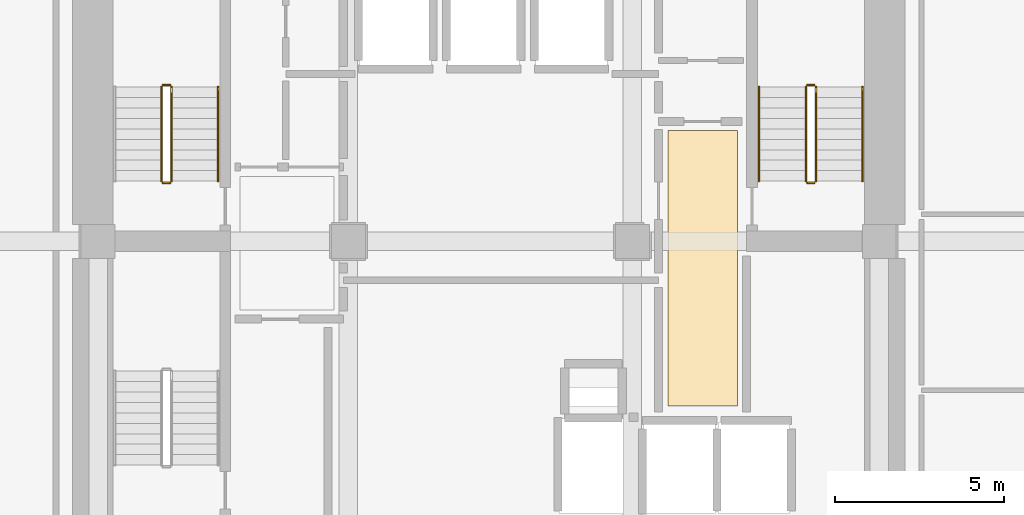
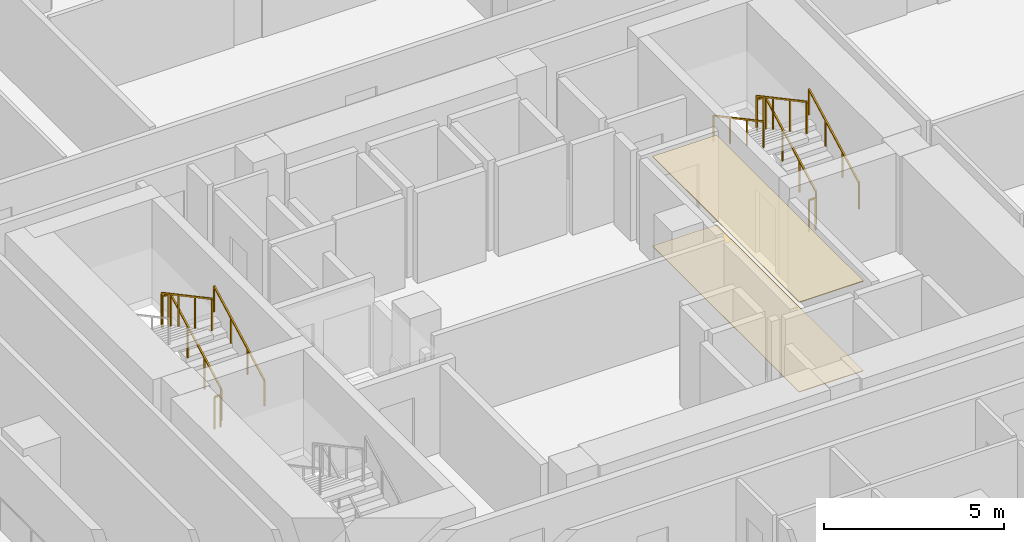
# One storey, part 10 of 11: 11 railings, 2 coverings.
"""IFC4 building model written with IfcOpenShell, lengths in metres."""

import ifcopenshell
import ifcopenshell.guid

model = None  # the IFC model being written
_history = None  # IfcOwnerHistory: only IFC2X3 demands one
_inside = {}  # id of a spatial element -> (the spatial element, [elements in it])
_under = {}  # id of a project, library or spatial element -> (it, [spatial elements below it])
_declared = {}  # id of a project -> (the project, [libraries it declares])
_typed = {}  # id of a type object -> (the type object, [elements of that type])
_made_of = {}  # id of a material, layer set ... -> (it, [elements and type objects made of it])


def new_model(schema):
    """Start an empty IFC model of exactly this schema.

    Asked for "IFC4X3", IfcOpenShell would pick the latest addendum, in which some entities
    have other attributes; the version numbers below select the first issue.
    IFC2X3 requires an IfcOwnerHistory on every rooted entity: one is made here for all.
    """
    global model, _history
    if schema == "IFC4X3":
        model = ifcopenshell.file(schema_version=(4, 3, 0, 0))
    else:
        model = ifcopenshell.file(schema=schema)
    _inside.clear()
    _under.clear()
    _declared.clear()
    _typed.clear()
    _made_of.clear()
    _history = None
    if model.schema == "IFC2X3":
        org = make("IfcOrganization", Name="unknown")
        user = make(
            "IfcPersonAndOrganization",
            ThePerson=make("IfcPerson", FamilyName="unknown"),
            TheOrganization=org,
        )
        app = make(
            "IfcApplication",
            ApplicationDeveloper=org,
            Version="unknown",
            ApplicationFullName="unknown",
            ApplicationIdentifier="unknown",
        )
        _history = make(
            "IfcOwnerHistory",
            OwningUser=user,
            OwningApplication=app,
            ChangeAction="ADDED",
            CreationDate=0,
        )
    return model


def make(cls, **values):
    """One entity of the class cls with the attributes given. An attribute that is None is left unset."""
    return model.create_entity(
        cls, **{name: value for name, value in values.items() if value is not None}
    )


def rooted(cls, **values):
    """An entity with a GlobalId (a new one), such as an element, a storey or a relation."""
    return make(cls, GlobalId=ifcopenshell.guid.new(), OwnerHistory=_history, **values)


def si_unit(unit_type, name, prefix=None):
    """IfcSIUnit, for example si_unit("LENGTHUNIT", "METRE", prefix="MILLI")."""
    return make("IfcSIUnit", UnitType=unit_type, Prefix=prefix, Name=name)


def assignment(units):
    """IfcUnitAssignment: the units of a project."""
    return None if units is None else make("IfcUnitAssignment", Units=units)


def point(xyz):
    """IfcCartesianPoint."""
    return None if xyz is None else make("IfcCartesianPoint", Coordinates=xyz)


def direction(xyz):
    """IfcDirection."""
    return None if xyz is None else make("IfcDirection", DirectionRatios=xyz)


def frame(location, z_axis=None, x_axis=None):
    """IfcAxis2Placement3D, a coordinate frame: its origin and axes. An axis left out is left unset."""
    return make(
        "IfcAxis2Placement3D",
        Location=point(location),
        Axis=direction(z_axis),
        RefDirection=direction(x_axis),
    )


def frame_2d(location, x_axis=None):
    """IfcAxis2Placement2D, a coordinate frame in the plane: its origin and x axis."""
    return make(
        "IfcAxis2Placement2D", Location=point(location), RefDirection=direction(x_axis)
    )


def origin():
    """The frame at (0, 0, 0) with its axes left unset."""
    return frame((0.0, 0.0, 0.0))


def origin_2d():
    """The frame at (0, 0) in the plane with its x axis left unset."""
    return frame_2d((0.0, 0.0))


def place(relative_to, where):
    """IfcLocalPlacement: puts the frame where relative to a parent placement (None: the world)."""
    return make(
        "IfcLocalPlacement", PlacementRelTo=relative_to, RelativePlacement=where
    )


def context(
    kind, dimensions, precision=None, world=None, true_north=None, identifier=None
):
    """IfcGeometricRepresentationContext, for example the 3D "Model" context."""
    return make(
        "IfcGeometricRepresentationContext",
        ContextIdentifier=identifier,
        ContextType=kind,
        CoordinateSpaceDimension=dimensions,
        Precision=precision,
        WorldCoordinateSystem=world,
        TrueNorth=true_north,
    )


def subcontext(parent, identifier, kind, view, scale=None):
    """IfcGeometricRepresentationSubContext, for example "Body" below "Model"."""
    return make(
        "IfcGeometricRepresentationSubContext",
        ContextIdentifier=identifier,
        ContextType=kind,
        ParentContext=parent,
        TargetScale=scale,
        TargetView=view,
    )


def project(units=None, contexts=None):
    """IfcProject with its units and contexts."""
    return rooted(
        "IfcProject",
        Name="project",
        RepresentationContexts=contexts,
        UnitsInContext=assignment(units),
    )


def spatial(cls, under=None, at=None, **own):
    """A site, building, storey or space (cls), placed at a placement, below another one or the project."""
    s = rooted(cls, ObjectPlacement=at, **own)
    if under is not None:
        _under.setdefault(under.id(), (under, []))[1].append(s)
    return s


def polyline(points):
    """IfcPolyline through the points."""
    return make("IfcPolyline", Points=[point(p) for p in points])


def profile(cls, at=None, kind="AREA", **sizes):
    """A parametric profile (cls). Its sizes go by their IFC names, for example OverallWidth=200.0."""
    return make(cls, ProfileType=kind, Position=at, **sizes)


def rectangle(**sizes):
    """IfcRectangleProfileDef."""
    return profile("IfcRectangleProfileDef", **sizes)


def outline(outer, holes=None, kind="AREA"):
    """IfcArbitraryClosedProfileDef: a profile drawn as a closed curve; with holes, ...WithVoids."""
    if holes is None:
        return make("IfcArbitraryClosedProfileDef", ProfileType=kind, OuterCurve=outer)
    return make(
        "IfcArbitraryProfileDefWithVoids",
        ProfileType=kind,
        OuterCurve=outer,
        InnerCurves=holes,
    )


def extrude(swept, where, along, depth):
    """IfcExtrudedAreaSolid: the profile swept, set in the frame where, extruded along a direction by depth."""
    return make(
        "IfcExtrudedAreaSolid",
        SweptArea=swept,
        Position=where,
        ExtrudedDirection=direction(along),
        Depth=depth,
    )


def shape(context_of_items, identifier, shape_type, items):
    """IfcShapeRepresentation: the items that make up one representation, for example the "Body"."""
    return make(
        "IfcShapeRepresentation",
        ContextOfItems=context_of_items,
        RepresentationIdentifier=identifier,
        RepresentationType=shape_type,
        Items=items,
    )


def material(Name=None, Category=None):
    """IfcMaterial."""
    return make("IfcMaterial", Name=Name, Category=Category)


def layer(
    of_material, thickness, ventilated=None, Name=None, Category=None, Priority=None
):
    """IfcMaterialLayer: one layer of a wall or slab, of a material (None: an air gap)."""
    return make(
        "IfcMaterialLayer",
        Material=of_material,
        LayerThickness=thickness,
        IsVentilated=ventilated,
        Name=Name,
        Category=Category,
        Priority=Priority,
    )


def layer_set(layers, Name=None):
    """IfcMaterialLayerSet."""
    return make("IfcMaterialLayerSet", MaterialLayers=layers, LayerSetName=Name)


def made_of(thing, what):
    """Note that an element or type object is made of a material, layer set ...; save() writes the relation."""
    if what is not None:
        _made_of.setdefault(what.id(), (what, []))[1].append(thing)
    return thing


def type_object(cls, material=None, **own):
    """A type object (cls), such as IfcWallType, which elements share."""
    return made_of(rooted(cls, **own), material)


def element(
    cls,
    number,
    at=None,
    inside=None,
    cuts=None,
    type_object=None,
    material=None,
    context=None,
    identifier="Body",
    shape_type=None,
    held_by="IfcProductDefinitionShape",
    body=None,
    shapes=None,
    **own,
):
    """One element of the class cls, such as IfcWall. Its Tag is "e" and its number.

    at: its placement. inside: the storey or other place that contains it. cuts: it is an
    opening in that element (IfcRelVoidsElement). A single representation is given by context,
    identifier, shape_type and body (its items); several are given by shapes. held_by: the class
    of the entity that holds the representations. save() writes the other relations.
    """
    e = rooted(cls, Tag="e%d" % number, ObjectPlacement=at, **own)
    if body is not None:
        shapes = [shape(context, identifier, shape_type, body)]
    if shapes is not None:
        e.Representation = make(held_by, Representations=shapes)
    if inside is not None:
        _inside.setdefault(inside.id(), (inside, []))[1].append(e)
    if cuts is not None:
        rooted(
            "IfcRelVoidsElement", RelatingBuildingElement=cuts, RelatedOpeningElement=e
        )
    if type_object is not None:
        _typed.setdefault(type_object.id(), (type_object, []))[1].append(e)
    return made_of(e, material)


def aggregate(whole, parts):
    """IfcRelAggregates: a whole, such as a stair, and the parts it consists of."""
    return rooted("IfcRelAggregates", RelatingObject=whole, RelatedObjects=parts)


def save(model, path):
    """Write the relations noted so far, then the file.

    IfcRelAggregates (storeys below a building ...), IfcRelContainedInSpatialStructure (elements
    in a storey), IfcRelDefinesByType, IfcRelAssociatesMaterial and IfcRelDeclares: one each for
    every whole, place, type object, material and project.
    """
    for whole, parts in _under.values():
        aggregate(whole, parts)
    for where, things in _inside.values():
        rooted(
            "IfcRelContainedInSpatialStructure",
            RelatedElements=things,
            RelatingStructure=where,
        )
    for kind, things in _typed.values():
        rooted("IfcRelDefinesByType", RelatedObjects=things, RelatingType=kind)
    for what, things in _made_of.values():
        rooted("IfcRelAssociatesMaterial", RelatedObjects=things, RelatingMaterial=what)
    for by, libraries in _declared.values():
        rooted("IfcRelDeclares", RelatingContext=by, RelatedDefinitions=libraries)
    model.write(path)


model = new_model("IFC4")

# Units and contexts
model_context = context("Model", 3, precision=1e-05, world=origin(), true_north=direction((0.0, 1.0)))
body_context = subcontext(model_context, "Body", "Model", "MODEL_VIEW")
ifc_project = project(units=[si_unit("LENGTHUNIT", "METRE"), si_unit("AREAUNIT", "SQUARE_METRE"), si_unit("VOLUMEUNIT", "CUBIC_METRE"), si_unit("PLANEANGLEUNIT", "RADIAN"), si_unit("MASSUNIT", "GRAM", prefix="KILO")], contexts=[model_context])

# Site, building, storey
site_placement = place(None, origin())
site = spatial("IfcSite", under=ifc_project, at=site_placement, CompositionType="ELEMENT")
building_placement = place(site_placement, origin())
building = spatial("IfcBuilding", under=site, at=building_placement, Name="Solanera Arch Residences", CompositionType="ELEMENT")
storey_placement = place(building_placement, frame((0.0, 0.0, 65.159912109375)))
storey = spatial("IfcBuildingStorey", under=building, at=storey_placement, Name="L18", CompositionType="ELEMENT", Elevation=65.159912109375)

# Covering
ifc_material_1 = material(Name="Porcelain Acoustic Floor Tile", Category="ceramic")
ifc_layer_1 = layer(ifc_material_1, 0.02001953125)
ifc_layer_set_1 = layer_set([ifc_layer_1], Name="Porcelain Acoustic Floor Tile")
covering_type_1 = type_object("IfcCoveringType", Name="Porcelain Acoustic Floor Finish FLR-20", PredefinedType="FLOORING", material=ifc_layer_set_1)
covering_1_placement = place(storey_placement, origin())
element("IfcCovering", 1, at=covering_1_placement, inside=storey, type_object=covering_type_1, Name="L18-FFL-E Porcelain Floor Finish", PredefinedType="FLOORING", context=body_context, shape_type="SweptSolid", body=[
    extrude(outline(polyline([(32.304931640625, 25.824951171875), (30.25, 25.824951171875), (30.25, 33.97509765625), (32.304931640625, 33.97509765625), (32.304931640625, 25.824951171875)])), origin(), (0.0, 0.0, 1.0), 0.02001953125),
])

# Railings
ifc_material_2 = material(Name="Steel S355 (ASTM A992 / A572 Grade 50)", Category="steel")
railing_type_1 = type_object("IfcRailingType", Name="Stair Guardrail GR-1100", PredefinedType="GUARDRAIL", material=ifc_material_2)
railing_1_placement = place(storey_placement, frame((15.570068359375, 32.47998046875, 0.151123046875)))
element("IfcRailing", 2, at=railing_1_placement, inside=storey, type_object=railing_type_1, Name="L18 ST-T1 stair guard 1", PredefinedType="GUARDRAIL", context=body_context, shape_type="SweptSolid", body=[
    extrude(rectangle(XDim=0.048095703125, YDim=0.048095703125, at=origin_2d()), frame((0.0, 0.0, 1.076171875), z_axis=(0.0, 0.881580869306, 0.472033018838), x_axis=(-1.0, 0.0, 0.0)), (0.0, 0.0, 1.0), 3.164794921875),
    extrude(rectangle(XDim=0.0419921875, YDim=0.0419921875, at=origin_2d()), origin(), (0.0, 0.0, 1.0), 1.052001953125),
    extrude(rectangle(XDim=0.0419921875, YDim=0.0419921875, at=origin_2d()), frame((0.0, 0.929931640625, 0.498046875)), (0.0, 0.0, 1.0), 1.052001953125),
    extrude(rectangle(XDim=0.0419921875, YDim=0.0419921875, at=origin_2d()), frame((0.0, 1.860107421875, 0.995849609375)), (0.0, 0.0, 1.0), 1.052001953125),
    extrude(rectangle(XDim=0.0419921875, YDim=0.0419921875, at=origin_2d()), frame((0.0, 2.7900390625, 1.493896484375)), (0.0, 0.0, 1.0), 1.052001953125),
])
railing_2_placement = place(storey_placement, frame((15.52001953125, 35.320068359375, 1.64501953125)))
element("IfcRailing", 3, at=railing_2_placement, inside=storey, type_object=railing_type_1, Name="L18 ST-T1 stair guard 2", PredefinedType="GUARDRAIL", context=body_context, shape_type="SweptSolid", body=[
    extrude(rectangle(XDim=0.048095703125, YDim=0.048095703125, at=origin_2d()), frame((0.0, 0.0, 1.076171875), z_axis=(-1.0, 0.0, 0.0), x_axis=(0.0, -1.0, 0.0)), (0.0, 0.0, 1.0), 0.199951171875),
    extrude(rectangle(XDim=0.0419921875, YDim=0.0419921875, at=origin_2d()), origin(), (0.0, 0.0, 1.0), 1.052001953125),
    extrude(rectangle(XDim=0.0419921875, YDim=0.0419921875, at=origin_2d()), frame((-0.199951171875, 0.0, 0.0)), (0.0, 0.0, 1.0), 1.052001953125),
])
railing_3_placement = place(storey_placement, frame((15.27001953125, 35.27001953125, 1.81103515625)))
element("IfcRailing", 4, at=railing_3_placement, inside=storey, type_object=railing_type_1, Name="L18 ST-T1 stair guard 3", PredefinedType="GUARDRAIL", context=body_context, shape_type="SweptSolid", body=[
    extrude(rectangle(XDim=0.048095703125, YDim=0.048095703125, at=origin_2d()), frame((0.0, 0.0, 1.076171875), z_axis=(0.0, -0.881548766853, 0.472092969298), x_axis=(1.0, 0.0, 0.0)), (0.0, 0.0, 1.0), 3.1650390625),
    extrude(rectangle(XDim=0.0419921875, YDim=0.0419921875, at=origin_2d()), origin(), (0.0, 0.0, 1.0), 1.052001953125),
    extrude(rectangle(XDim=0.0419921875, YDim=0.0419921875, at=origin_2d()), frame((0.0, -0.929931640625, 0.498046875)), (0.0, 0.0, 1.0), 1.052001953125),
    extrude(rectangle(XDim=0.0419921875, YDim=0.0419921875, at=origin_2d()), frame((0.0, -1.860107421875, 0.99609375)), (0.0, 0.0, 1.0), 1.052001953125),
    extrude(rectangle(XDim=0.0419921875, YDim=0.0419921875, at=origin_2d()), frame((0.0, -2.7900390625, 1.494140625)), (0.0, 0.0, 1.0), 1.052001953125),
])
railing_4_placement = place(storey_placement, frame((15.52001953125, 32.429931640625, -0.014892578125)))
element("IfcRailing", 5, at=railing_4_placement, inside=storey, type_object=railing_type_1, Name="L18 ST-T1 stair guard 4", PredefinedType="GUARDRAIL", context=body_context, shape_type="SweptSolid", body=[
    extrude(rectangle(XDim=0.048095703125, YDim=0.048095703125, at=origin_2d()), frame((0.0, 0.0, 1.076171875), z_axis=(-1.0, 0.0, 0.0), x_axis=(0.0, -1.0, 0.0)), (0.0, 0.0, 1.0), 0.199951171875),
    extrude(rectangle(XDim=0.0419921875, YDim=0.0419921875, at=origin_2d()), origin(), (0.0, 0.0, 1.0), 1.052001953125),
    extrude(rectangle(XDim=0.0419921875, YDim=0.0419921875, at=origin_2d()), frame((-0.199951171875, 0.0, 0.0)), (0.0, 0.0, 1.0), 1.052001953125),
])
railing_5_placement = place(storey_placement, frame((34.6298828125, 32.47998046875, 0.151123046875)))
element("IfcRailing", 6, at=railing_5_placement, inside=storey, type_object=railing_type_1, Name="L18 ST-T2 stair guard 1", PredefinedType="GUARDRAIL", context=body_context, shape_type="SweptSolid", body=[
    extrude(rectangle(XDim=0.048095703125, YDim=0.048095703125, at=origin_2d()), frame((0.0, 0.0, 1.076171875), z_axis=(0.0, 0.881580869306, 0.472033018838), x_axis=(-1.0, 0.0, 0.0)), (0.0, 0.0, 1.0), 3.164794921875),
    extrude(rectangle(XDim=0.0419921875, YDim=0.0419921875, at=origin_2d()), origin(), (0.0, 0.0, 1.0), 1.052001953125),
    extrude(rectangle(XDim=0.0419921875, YDim=0.0419921875, at=origin_2d()), frame((0.0, 0.929931640625, 0.498046875)), (0.0, 0.0, 1.0), 1.052001953125),
    extrude(rectangle(XDim=0.0419921875, YDim=0.0419921875, at=origin_2d()), frame((0.0, 1.860107421875, 0.995849609375)), (0.0, 0.0, 1.0), 1.052001953125),
    extrude(rectangle(XDim=0.0419921875, YDim=0.0419921875, at=origin_2d()), frame((0.0, 2.7900390625, 1.493896484375)), (0.0, 0.0, 1.0), 1.052001953125),
])
railing_6_placement = place(storey_placement, frame((34.580078125, 35.320068359375, 1.64501953125)))
element("IfcRailing", 7, at=railing_6_placement, inside=storey, type_object=railing_type_1, Name="L18 ST-T2 stair guard 2", PredefinedType="GUARDRAIL", context=body_context, shape_type="SweptSolid", body=[
    extrude(rectangle(XDim=0.048095703125, YDim=0.048095703125, at=origin_2d()), frame((0.0, 0.0, 1.076171875), z_axis=(-1.0, 0.0, 0.0), x_axis=(0.0, -1.0, 0.0)), (0.0, 0.0, 1.0), 0.2001953125),
    extrude(rectangle(XDim=0.0419921875, YDim=0.0419921875, at=origin_2d()), origin(), (0.0, 0.0, 1.0), 1.052001953125),
    extrude(rectangle(XDim=0.0419921875, YDim=0.0419921875, at=origin_2d()), frame((-0.2001953125, 0.0, 0.0)), (0.0, 0.0, 1.0), 1.052001953125),
])
railing_7_placement = place(storey_placement, frame((34.330078125, 35.27001953125, 1.81103515625)))
element("IfcRailing", 8, at=railing_7_placement, inside=storey, type_object=railing_type_1, Name="L18 ST-T2 stair guard 3", PredefinedType="GUARDRAIL", context=body_context, shape_type="SweptSolid", body=[
    extrude(rectangle(XDim=0.048095703125, YDim=0.048095703125, at=origin_2d()), frame((0.0, 0.0, 1.076171875), z_axis=(0.0, -0.881548766853, 0.472092969298), x_axis=(1.0, 0.0, 0.0)), (0.0, 0.0, 1.0), 3.1650390625),
    extrude(rectangle(XDim=0.0419921875, YDim=0.0419921875, at=origin_2d()), origin(), (0.0, 0.0, 1.0), 1.052001953125),
    extrude(rectangle(XDim=0.0419921875, YDim=0.0419921875, at=origin_2d()), frame((0.0, -0.929931640625, 0.498046875)), (0.0, 0.0, 1.0), 1.052001953125),
    extrude(rectangle(XDim=0.0419921875, YDim=0.0419921875, at=origin_2d()), frame((0.0, -1.860107421875, 0.99609375)), (0.0, 0.0, 1.0), 1.052001953125),
    extrude(rectangle(XDim=0.0419921875, YDim=0.0419921875, at=origin_2d()), frame((0.0, -2.7900390625, 1.494140625)), (0.0, 0.0, 1.0), 1.052001953125),
])
railing_8_placement = place(storey_placement, frame((34.580078125, 32.429931640625, -0.014892578125)))
element("IfcRailing", 9, at=railing_8_placement, inside=storey, type_object=railing_type_1, Name="L18 ST-T2 stair guard 4", PredefinedType="GUARDRAIL", context=body_context, shape_type="SweptSolid", body=[
    extrude(rectangle(XDim=0.048095703125, YDim=0.048095703125, at=origin_2d()), frame((0.0, 0.0, 1.076171875), z_axis=(-1.0, 0.0, 0.0), x_axis=(0.0, -1.0, 0.0)), (0.0, 0.0, 1.0), 0.2001953125),
    extrude(rectangle(XDim=0.0419921875, YDim=0.0419921875, at=origin_2d()), origin(), (0.0, 0.0, 1.0), 1.052001953125),
    extrude(rectangle(XDim=0.0419921875, YDim=0.0419921875, at=origin_2d()), frame((-0.2001953125, 0.0, 0.0)), (0.0, 0.0, 1.0), 1.052001953125),
])
ifc_material_3 = material(Name="Steel S355 (ASTM A992 / A572 Grade 50)", Category="steel")
railing_type_2 = type_object("IfcRailingType", Name="Stair Wall Handrail HR-920", PredefinedType="HANDRAIL", material=ifc_material_3)
for number, where, name in (
    (10, (16.949951171875, 32.47998046875, 0.166015625), "L18 ST-T1 stair handrail 1"),
    (11, (36.010009765625, 32.47998046875, 0.166015625), "L18 ST-T2 stair handrail 1"),
):
    element("IfcRailing", number, at=place(storey_placement, frame(where)), inside=storey, type_object=railing_type_2, Name=name, PredefinedType="HANDRAIL", context=body_context, shape_type="SweptSolid", body=[
        extrude(rectangle(XDim=0.048095703125, YDim=0.048095703125, at=origin_2d()), frame((0.0, 0.0, 0.8759765625), z_axis=(0.0, 0.881548766853, 0.472092969298), x_axis=(-1.0, 0.0, 0.0)), (0.0, 0.0, 1.0), 3.1650390625),
        extrude(rectangle(XDim=0.0419921875, YDim=0.0419921875, at=origin_2d()), origin(), (0.0, 0.0, 1.0), 0.851806640625),
        extrude(rectangle(XDim=0.0419921875, YDim=0.0419921875, at=origin_2d()), frame((0.0, 0.929931640625, 0.498046875)), (0.0, 0.0, 1.0), 0.851806640625),
        extrude(rectangle(XDim=0.0419921875, YDim=0.0419921875, at=origin_2d()), frame((0.0, 1.860107421875, 0.99609375)), (0.0, 0.0, 1.0), 0.851806640625),
        extrude(rectangle(XDim=0.0419921875, YDim=0.0419921875, at=origin_2d()), frame((0.0, 2.7900390625, 1.494140625)), (0.0, 0.0, 1.0), 0.851806640625),
    ])
railing_9_placement = place(storey_placement, frame((32.949951171875, 35.27001953125, 1.826171875)))
element("IfcRailing", 12, at=railing_9_placement, inside=storey, type_object=railing_type_2, Name="L18 ST-T2 stair handrail 2", PredefinedType="HANDRAIL", context=body_context, shape_type="SweptSolid", body=[
    extrude(rectangle(XDim=0.048095703125, YDim=0.048095703125, at=origin_2d()), frame((0.0, 0.0, 0.8759765625), z_axis=(0.0, -0.881580869306, 0.472033018838), x_axis=(1.0, 0.0, 0.0)), (0.0, 0.0, 1.0), 3.164794921875),
    extrude(rectangle(XDim=0.0419921875, YDim=0.0419921875, at=origin_2d()), origin(), (0.0, 0.0, 1.0), 0.851806640625),
    extrude(rectangle(XDim=0.0419921875, YDim=0.0419921875, at=origin_2d()), frame((0.0, -0.929931640625, 0.498046875)), (0.0, 0.0, 1.0), 0.851806640625),
    extrude(rectangle(XDim=0.0419921875, YDim=0.0419921875, at=origin_2d()), frame((0.0, -1.860107421875, 0.995849609375)), (0.0, 0.0, 1.0), 0.851806640625),
    extrude(rectangle(XDim=0.0419921875, YDim=0.0419921875, at=origin_2d()), frame((0.0, -2.7900390625, 1.493896484375)), (0.0, 0.0, 1.0), 0.851806640625),
])

# Covering
ifc_material_4 = material(Name="Mineral Fibre Acoustic Ceiling Board", Category="gypsum")
ifc_layer_2 = layer(ifc_material_4, 0.02490234375)
ifc_layer_set_2 = layer_set([ifc_layer_2], Name="Mineral Fibre Acoustic Ceiling Board")
covering_type_2 = type_object("IfcCoveringType", Name="Suspended Acoustic Ceiling Board CLG-25", PredefinedType="CEILING", material=ifc_layer_set_2)
covering_2_placement = place(storey_placement, frame((0.0, 0.0, 3.03515625)))
element("IfcCovering", 13, at=covering_2_placement, inside=storey, type_object=covering_type_2, Name="L18-FFL-E Acoustic Ceiling", PredefinedType="CEILING", context=body_context, shape_type="SweptSolid", body=[
    extrude(outline(polyline([(32.304931640625, 25.824951171875), (30.25, 25.824951171875), (30.25, 33.97509765625), (32.304931640625, 33.97509765625), (32.304931640625, 25.824951171875)])), origin(), (0.0, 0.0, 1.0), 0.02490234375),
])

save(model, "model.ifc")
